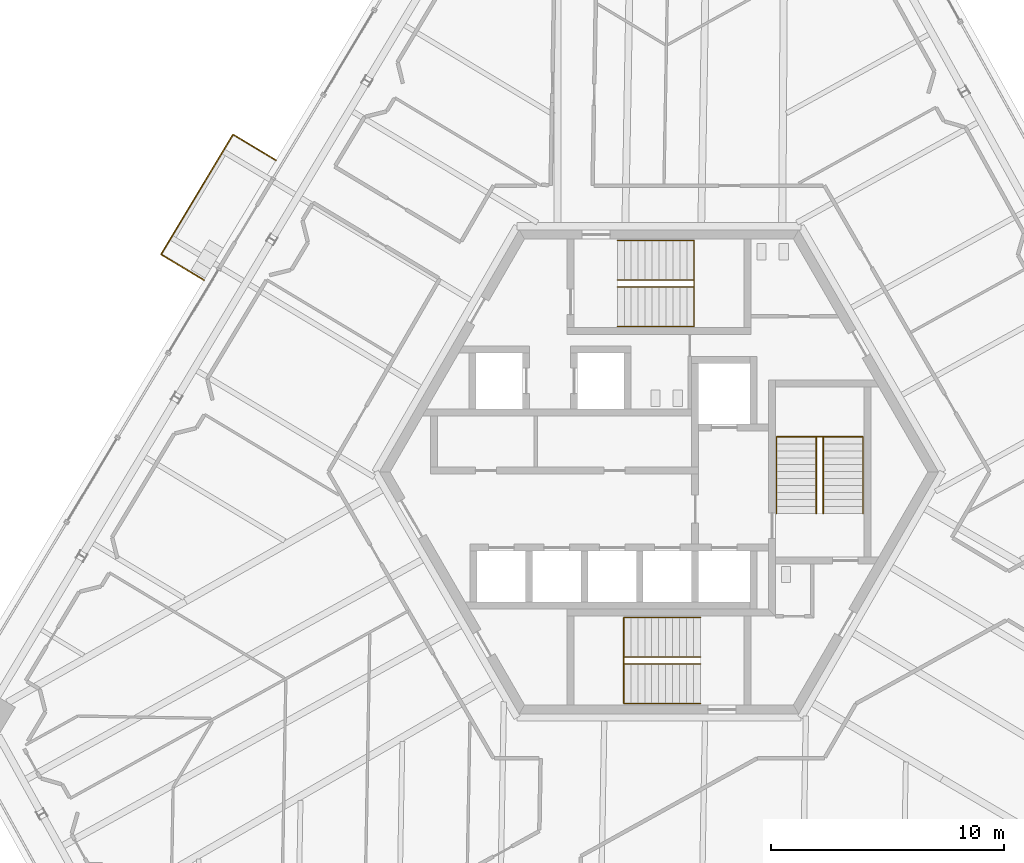
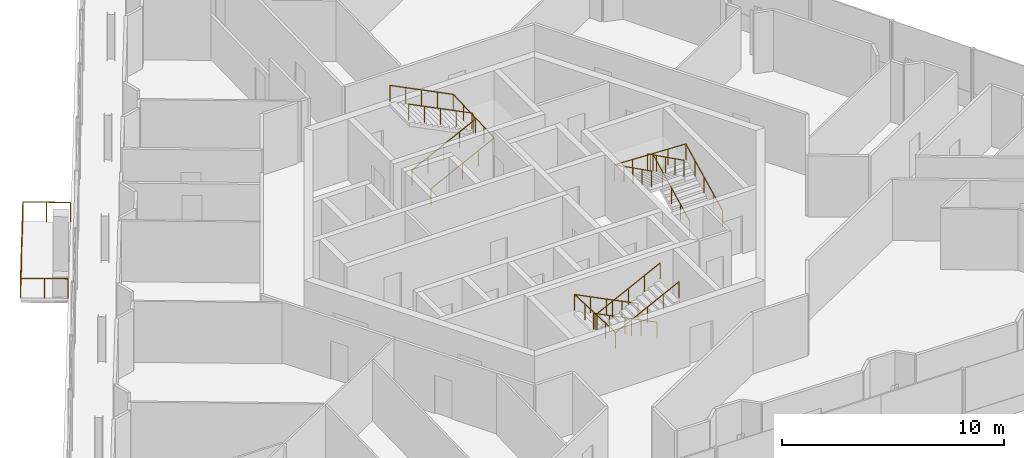
# One storey, part 21 of 24: 7 railings.
"""IFC4 building model written with IfcOpenShell, lengths in metres."""

from ifc_helpers import new_model, si_unit, direction, frame, origin, origin_2d, place, context, subcontext, project, spatial, circle, extrude, source, transform, mapped, material, type_object, element, save


model = new_model("IFC4")

# Units and contexts
model_context = context("Model", 3, precision=1e-05, world=origin(), true_north=direction((0.0, 1.0)))
body_context = subcontext(model_context, "Body", "Model", "MODEL_VIEW")
ifc_project = project(units=[si_unit("LENGTHUNIT", "METRE"), si_unit("AREAUNIT", "SQUARE_METRE"), si_unit("VOLUMEUNIT", "CUBIC_METRE"), si_unit("PLANEANGLEUNIT", "RADIAN"), si_unit("MASSUNIT", "GRAM", prefix="KILO")], contexts=[model_context])

# Site, building, storey
site_placement = place(None, origin())
site = spatial("IfcSite", under=ifc_project, at=site_placement, CompositionType="ELEMENT")
building_placement = place(site_placement, origin())
building = spatial("IfcBuilding", under=site, at=building_placement, Name="Triune Harvest Tower", CompositionType="ELEMENT")
storey_placement = place(building_placement, frame((0.0, 0.0, 212.300048828125)))
storey = spatial("IfcBuildingStorey", under=building, at=storey_placement, Name="L55", CompositionType="ELEMENT", Elevation=212.300048828125)

# Railings
ifc_material_1 = material(Name="Stainless steel AISI 316", Category="steel")
railing_type_1 = type_object("IfcRailingType", Name="Stair handrail", PredefinedType="HANDRAIL", material=ifc_material_1)
shared_shape_1 = source(origin(), body_context, "Body", "SweptSolid", [
    extrude(circle(Radius=0.02392578125, at=origin_2d()), frame((0.0, 0.0, 0.8759765625), z_axis=(0.894413956696, 0.0, 0.447240063129), x_axis=(0.0, 1.0, 0.0)), (0.0, 0.0, 1.0), 3.689697265625),
    extrude(circle(Radius=0.02392578125, at=origin_2d()), frame((3.300048828125, 0.0, 2.52587890625), z_axis=(0.0, 0.999180289278, 0.040481471304), x_axis=(-1.0, 0.0, 0.0)), (0.0, 0.0, 1.0), 3.702880859375),
    extrude(circle(Radius=0.02392578125, at=origin_2d()), frame((3.300048828125, 3.699951171875, 2.67578125), z_axis=(-0.894440424912, 0.0, 0.447187126696), x_axis=(0.0, -1.0, 0.0)), (0.0, 0.0, 1.0), 3.689453125),
    extrude(circle(Radius=0.02099609375, at=origin_2d()), origin(), (0.0, 0.0, 1.0), 0.851806640625),
    extrude(circle(Radius=0.02099609375, at=origin_2d()), frame((0.824951171875, 0.0, 0.41259765625)), (0.0, 0.0, 1.0), 0.851806640625),
    extrude(circle(Radius=0.02099609375, at=origin_2d()), frame((1.64990234375, 0.0, 0.8251953125)), (0.0, 0.0, 1.0), 0.851806640625),
    extrude(circle(Radius=0.02099609375, at=origin_2d()), frame((2.47509765625, 0.0, 1.237548828125)), (0.0, 0.0, 1.0), 0.851806640625),
    extrude(circle(Radius=0.02099609375, at=origin_2d()), frame((3.300048828125, 0.0, 1.650146484375)), (0.0, 0.0, 1.0), 0.851806640625),
    extrude(circle(Radius=0.02099609375, at=origin_2d()), frame((3.300048828125, 0.925048828125, 1.6875)), (0.0, 0.0, 1.0), 0.851806640625),
    extrude(circle(Radius=0.02099609375, at=origin_2d()), frame((3.300048828125, 1.85009765625, 1.72509765625)), (0.0, 0.0, 1.0), 0.851806640625),
    extrude(circle(Radius=0.02099609375, at=origin_2d()), frame((3.300048828125, 2.77490234375, 1.7626953125)), (0.0, 0.0, 1.0), 0.851806640625),
    extrude(circle(Radius=0.02099609375, at=origin_2d()), frame((3.300048828125, 3.699951171875, 1.800048828125)), (0.0, 0.0, 1.0), 0.851806640625),
    extrude(circle(Radius=0.02099609375, at=origin_2d()), frame((2.47509765625, 3.699951171875, 2.21240234375)), (0.0, 0.0, 1.0), 0.851806640625),
    extrude(circle(Radius=0.02099609375, at=origin_2d()), frame((1.64990234375, 3.699951171875, 2.625)), (0.0, 0.0, 1.0), 0.851806640625),
    extrude(circle(Radius=0.02099609375, at=origin_2d()), frame((0.824951171875, 3.699951171875, 3.03759765625)), (0.0, 0.0, 1.0), 0.851806640625),
    extrude(circle(Radius=0.02099609375, at=origin_2d()), frame((0.0, 3.699951171875, 3.449951171875)), (0.0, 0.0, 1.0), 0.851806640625),
])
railing_1_placement = place(storey_placement, frame((-1.7900390625, 6.239990234375, 0.14990234375)))
element("IfcRailing", 1, at=railing_1_placement, inside=storey, type_object=railing_type_1, Name="Exit stair north wall handrail", PredefinedType="HANDRAIL", context=body_context, shape_type="MappedRepresentation", body=[
    mapped(shared_shape_1, transform((0.0, 0.0, 0.0), scale=1.0)),
])
shared_shape_2 = source(origin(), body_context, "Body", "SweptSolid", [
    extrude(circle(Radius=0.02392578125, at=origin_2d()), frame((0.0, 0.0, 0.8759765625), z_axis=(0.894413956696, 0.0, 0.447240063129), x_axis=(0.0, 1.0, 0.0)), (0.0, 0.0, 1.0), 3.689697265625),
    extrude(circle(Radius=0.02392578125, at=origin_2d()), frame((3.300048828125, 0.0, 2.52587890625), z_axis=(0.0, 0.894572720946, 0.446922417137), x_axis=(-1.0, 0.0, 0.0)), (0.0, 0.0, 1.0), 0.33544921875),
    extrude(circle(Radius=0.02392578125, at=origin_2d()), frame((3.300048828125, 0.300048828125, 2.67578125), z_axis=(-0.894440424912, 0.0, 0.447187126696), x_axis=(0.0, -1.0, 0.0)), (0.0, 0.0, 1.0), 3.689453125),
    extrude(circle(Radius=0.02099609375, at=origin_2d()), origin(), (0.0, 0.0, 1.0), 0.851806640625),
    extrude(circle(Radius=0.02099609375, at=origin_2d()), frame((0.824951171875, 0.0, 0.41259765625)), (0.0, 0.0, 1.0), 0.851806640625),
    extrude(circle(Radius=0.02099609375, at=origin_2d()), frame((1.64990234375, 0.0, 0.8251953125)), (0.0, 0.0, 1.0), 0.851806640625),
    extrude(circle(Radius=0.02099609375, at=origin_2d()), frame((2.47509765625, 0.0, 1.237548828125)), (0.0, 0.0, 1.0), 0.851806640625),
    extrude(circle(Radius=0.02099609375, at=origin_2d()), frame((3.300048828125, 0.0, 1.650146484375)), (0.0, 0.0, 1.0), 0.851806640625),
    extrude(circle(Radius=0.02099609375, at=origin_2d()), frame((3.300048828125, 0.300048828125, 1.800048828125)), (0.0, 0.0, 1.0), 0.851806640625),
    extrude(circle(Radius=0.02099609375, at=origin_2d()), frame((2.47509765625, 0.300048828125, 2.21240234375)), (0.0, 0.0, 1.0), 0.851806640625),
    extrude(circle(Radius=0.02099609375, at=origin_2d()), frame((1.64990234375, 0.300048828125, 2.625)), (0.0, 0.0, 1.0), 0.851806640625),
    extrude(circle(Radius=0.02099609375, at=origin_2d()), frame((0.824951171875, 0.300048828125, 3.03759765625)), (0.0, 0.0, 1.0), 0.851806640625),
    extrude(circle(Radius=0.02099609375, at=origin_2d()), frame((0.0, 0.300048828125, 3.449951171875)), (0.0, 0.0, 1.0), 0.851806640625),
])
railing_2_placement = place(storey_placement, frame((-1.7900390625, 7.93994140625, 0.14990234375)))
element("IfcRailing", 2, at=railing_2_placement, inside=storey, type_object=railing_type_1, Name="Exit stair north centre handrail", PredefinedType="HANDRAIL", context=body_context, shape_type="MappedRepresentation", body=[
    mapped(shared_shape_2, transform((0.0, 0.0, 0.0), scale=1.0)),
])
shared_shape_3 = source(origin(), body_context, "Body", "SweptSolid", [
    extrude(circle(Radius=0.02392578125, at=origin_2d()), frame((0.0, 0.0, 0.8759765625), z_axis=(-0.894413956696, 0.0, 0.447240063129), x_axis=(0.0, -1.0, 0.0)), (0.0, 0.0, 1.0), 3.689697265625),
    extrude(circle(Radius=0.02392578125, at=origin_2d()), frame((-3.300048828125, 0.0, 2.52587890625), z_axis=(0.0, -0.999180289278, 0.040481471304), x_axis=(1.0, 0.0, 0.0)), (0.0, 0.0, 1.0), 3.702880859375),
    extrude(circle(Radius=0.02392578125, at=origin_2d()), frame((-3.300048828125, -3.699951171875, 2.67578125), z_axis=(0.894440424912, 0.0, 0.447187126696), x_axis=(0.0, 1.0, 0.0)), (0.0, 0.0, 1.0), 3.689453125),
    extrude(circle(Radius=0.02099609375, at=origin_2d()), origin(), (0.0, 0.0, 1.0), 0.851806640625),
    extrude(circle(Radius=0.02099609375, at=origin_2d()), frame((-0.824951171875, 0.0, 0.41259765625)), (0.0, 0.0, 1.0), 0.851806640625),
    extrude(circle(Radius=0.02099609375, at=origin_2d()), frame((-1.64990234375, 0.0, 0.8251953125)), (0.0, 0.0, 1.0), 0.851806640625),
    extrude(circle(Radius=0.02099609375, at=origin_2d()), frame((-2.47509765625, 0.0, 1.237548828125)), (0.0, 0.0, 1.0), 0.851806640625),
    extrude(circle(Radius=0.02099609375, at=origin_2d()), frame((-3.300048828125, 0.0, 1.650146484375)), (0.0, 0.0, 1.0), 0.851806640625),
    extrude(circle(Radius=0.02099609375, at=origin_2d()), frame((-3.300048828125, -0.925048828125, 1.6875)), (0.0, 0.0, 1.0), 0.851806640625),
    extrude(circle(Radius=0.02099609375, at=origin_2d()), frame((-3.300048828125, -1.85009765625, 1.72509765625)), (0.0, 0.0, 1.0), 0.851806640625),
    extrude(circle(Radius=0.02099609375, at=origin_2d()), frame((-3.300048828125, -2.77490234375, 1.7626953125)), (0.0, 0.0, 1.0), 0.851806640625),
    extrude(circle(Radius=0.02099609375, at=origin_2d()), frame((-3.300048828125, -3.699951171875, 1.800048828125)), (0.0, 0.0, 1.0), 0.851806640625),
    extrude(circle(Radius=0.02099609375, at=origin_2d()), frame((-2.47509765625, -3.699951171875, 2.21240234375)), (0.0, 0.0, 1.0), 0.851806640625),
    extrude(circle(Radius=0.02099609375, at=origin_2d()), frame((-1.64990234375, -3.699951171875, 2.625)), (0.0, 0.0, 1.0), 0.851806640625),
    extrude(circle(Radius=0.02099609375, at=origin_2d()), frame((-0.824951171875, -3.699951171875, 3.03759765625)), (0.0, 0.0, 1.0), 0.851806640625),
    extrude(circle(Radius=0.02099609375, at=origin_2d()), frame((0.0, -3.699951171875, 3.449951171875)), (0.0, 0.0, 1.0), 0.851806640625),
])
railing_3_placement = place(storey_placement, frame((1.7900390625, -6.239990234375, 0.14990234375)))
element("IfcRailing", 3, at=railing_3_placement, inside=storey, type_object=railing_type_1, Name="Exit stair south wall handrail", PredefinedType="HANDRAIL", context=body_context, shape_type="MappedRepresentation", body=[
    mapped(shared_shape_3, transform((0.0, 0.0, 0.0), scale=1.0)),
])
shared_shape_4 = source(origin(), body_context, "Body", "SweptSolid", [
    extrude(circle(Radius=0.02392578125, at=origin_2d()), frame((0.0, 0.0, 0.8759765625), z_axis=(-0.894413956696, 0.0, 0.447240063129), x_axis=(0.0, -1.0, 0.0)), (0.0, 0.0, 1.0), 3.689697265625),
    extrude(circle(Radius=0.02392578125, at=origin_2d()), frame((-3.300048828125, 0.0, 2.52587890625), z_axis=(0.0, -0.894572720946, 0.446922417137), x_axis=(1.0, 0.0, 0.0)), (0.0, 0.0, 1.0), 0.33544921875),
    extrude(circle(Radius=0.02392578125, at=origin_2d()), frame((-3.300048828125, -0.300048828125, 2.67578125), z_axis=(0.894440424912, 0.0, 0.447187126696), x_axis=(0.0, 1.0, 0.0)), (0.0, 0.0, 1.0), 3.689453125),
    extrude(circle(Radius=0.02099609375, at=origin_2d()), origin(), (0.0, 0.0, 1.0), 0.851806640625),
    extrude(circle(Radius=0.02099609375, at=origin_2d()), frame((-0.824951171875, 0.0, 0.41259765625)), (0.0, 0.0, 1.0), 0.851806640625),
    extrude(circle(Radius=0.02099609375, at=origin_2d()), frame((-1.64990234375, 0.0, 0.8251953125)), (0.0, 0.0, 1.0), 0.851806640625),
    extrude(circle(Radius=0.02099609375, at=origin_2d()), frame((-2.47509765625, 0.0, 1.237548828125)), (0.0, 0.0, 1.0), 0.851806640625),
    extrude(circle(Radius=0.02099609375, at=origin_2d()), frame((-3.300048828125, 0.0, 1.650146484375)), (0.0, 0.0, 1.0), 0.851806640625),
    extrude(circle(Radius=0.02099609375, at=origin_2d()), frame((-3.300048828125, -0.300048828125, 1.800048828125)), (0.0, 0.0, 1.0), 0.851806640625),
    extrude(circle(Radius=0.02099609375, at=origin_2d()), frame((-2.47509765625, -0.300048828125, 2.21240234375)), (0.0, 0.0, 1.0), 0.851806640625),
    extrude(circle(Radius=0.02099609375, at=origin_2d()), frame((-1.64990234375, -0.300048828125, 2.625)), (0.0, 0.0, 1.0), 0.851806640625),
    extrude(circle(Radius=0.02099609375, at=origin_2d()), frame((-0.824951171875, -0.300048828125, 3.03759765625)), (0.0, 0.0, 1.0), 0.851806640625),
    extrude(circle(Radius=0.02099609375, at=origin_2d()), frame((0.0, -0.300048828125, 3.449951171875)), (0.0, 0.0, 1.0), 0.851806640625),
])
railing_4_placement = place(storey_placement, frame((1.7900390625, -7.93994140625, 0.14990234375)))
element("IfcRailing", 4, at=railing_4_placement, inside=storey, type_object=railing_type_1, Name="Exit stair south centre handrail", PredefinedType="HANDRAIL", context=body_context, shape_type="MappedRepresentation", body=[
    mapped(shared_shape_4, transform((0.0, 0.0, 0.0), scale=1.0)),
])
shared_shape_5 = source(origin(), body_context, "Body", "SweptSolid", [
    extrude(circle(Radius=0.02392578125, at=origin_2d()), frame((0.0, 0.0, 0.8759765625), z_axis=(0.0, 0.894413956696, 0.447240063129), x_axis=(-1.0, 0.0, 0.0)), (0.0, 0.0, 1.0), 3.689697265625),
    extrude(circle(Radius=0.02392578125, at=origin_2d()), frame((0.0, 3.300048828125, 2.52587890625), z_axis=(-0.999180289278, 0.0, 0.040481471304), x_axis=(0.0, -1.0, 0.0)), (0.0, 0.0, 1.0), 3.702880859375),
    extrude(circle(Radius=0.02392578125, at=origin_2d()), frame((-3.699951171875, 3.300048828125, 2.67578125), z_axis=(0.0, -0.894440424912, 0.447187126696), x_axis=(1.0, 0.0, 0.0)), (0.0, 0.0, 1.0), 3.689453125),
    extrude(circle(Radius=0.02099609375, at=origin_2d()), origin(), (0.0, 0.0, 1.0), 0.851806640625),
    extrude(circle(Radius=0.02099609375, at=origin_2d()), frame((0.0, 0.824951171875, 0.41259765625)), (0.0, 0.0, 1.0), 0.851806640625),
    extrude(circle(Radius=0.02099609375, at=origin_2d()), frame((0.0, 1.64990234375, 0.8251953125)), (0.0, 0.0, 1.0), 0.851806640625),
    extrude(circle(Radius=0.02099609375, at=origin_2d()), frame((0.0, 2.47509765625, 1.237548828125)), (0.0, 0.0, 1.0), 0.851806640625),
    extrude(circle(Radius=0.02099609375, at=origin_2d()), frame((0.0, 3.300048828125, 1.650146484375)), (0.0, 0.0, 1.0), 0.851806640625),
    extrude(circle(Radius=0.02099609375, at=origin_2d()), frame((-0.925048828125, 3.300048828125, 1.6875)), (0.0, 0.0, 1.0), 0.851806640625),
    extrude(circle(Radius=0.02099609375, at=origin_2d()), frame((-1.85009765625, 3.300048828125, 1.72509765625)), (0.0, 0.0, 1.0), 0.851806640625),
    extrude(circle(Radius=0.02099609375, at=origin_2d()), frame((-2.77490234375, 3.300048828125, 1.7626953125)), (0.0, 0.0, 1.0), 0.851806640625),
    extrude(circle(Radius=0.02099609375, at=origin_2d()), frame((-3.699951171875, 3.300048828125, 1.800048828125)), (0.0, 0.0, 1.0), 0.851806640625),
    extrude(circle(Radius=0.02099609375, at=origin_2d()), frame((-3.699951171875, 2.47509765625, 2.21240234375)), (0.0, 0.0, 1.0), 0.851806640625),
    extrude(circle(Radius=0.02099609375, at=origin_2d()), frame((-3.699951171875, 1.64990234375, 2.625)), (0.0, 0.0, 1.0), 0.851806640625),
    extrude(circle(Radius=0.02099609375, at=origin_2d()), frame((-3.699951171875, 0.824951171875, 3.03759765625)), (0.0, 0.0, 1.0), 0.851806640625),
    extrude(circle(Radius=0.02099609375, at=origin_2d()), frame((-3.699951171875, 0.0, 3.449951171875)), (0.0, 0.0, 1.0), 0.851806640625),
])
railing_5_placement = place(storey_placement, frame((8.75, -1.7900390625, 0.14990234375)))
element("IfcRailing", 5, at=railing_5_placement, inside=storey, type_object=railing_type_1, Name="Exit stair east wall handrail", PredefinedType="HANDRAIL", context=body_context, shape_type="MappedRepresentation", body=[
    mapped(shared_shape_5, transform((0.0, 0.0, 0.0), scale=1.0)),
])
shared_shape_6 = source(origin(), body_context, "Body", "SweptSolid", [
    extrude(circle(Radius=0.02392578125, at=origin_2d()), frame((0.0, 0.0, 0.8759765625), z_axis=(0.0, 0.894413956696, 0.447240063129), x_axis=(-1.0, 0.0, 0.0)), (0.0, 0.0, 1.0), 3.689697265625),
    extrude(circle(Radius=0.02392578125, at=origin_2d()), frame((0.0, 3.300048828125, 2.52587890625), z_axis=(-0.894572720946, 0.0, 0.446922417137), x_axis=(0.0, -1.0, 0.0)), (0.0, 0.0, 1.0), 0.33544921875),
    extrude(circle(Radius=0.02392578125, at=origin_2d()), frame((-0.300048828125, 3.300048828125, 2.67578125), z_axis=(0.0, -0.894440424912, 0.447187126696), x_axis=(1.0, 0.0, 0.0)), (0.0, 0.0, 1.0), 3.689453125),
    extrude(circle(Radius=0.02099609375, at=origin_2d()), origin(), (0.0, 0.0, 1.0), 0.851806640625),
    extrude(circle(Radius=0.02099609375, at=origin_2d()), frame((0.0, 0.824951171875, 0.41259765625)), (0.0, 0.0, 1.0), 0.851806640625),
    extrude(circle(Radius=0.02099609375, at=origin_2d()), frame((0.0, 1.64990234375, 0.8251953125)), (0.0, 0.0, 1.0), 0.851806640625),
    extrude(circle(Radius=0.02099609375, at=origin_2d()), frame((0.0, 2.47509765625, 1.237548828125)), (0.0, 0.0, 1.0), 0.851806640625),
    extrude(circle(Radius=0.02099609375, at=origin_2d()), frame((0.0, 3.300048828125, 1.650146484375)), (0.0, 0.0, 1.0), 0.851806640625),
    extrude(circle(Radius=0.02099609375, at=origin_2d()), frame((-0.300048828125, 3.300048828125, 1.800048828125)), (0.0, 0.0, 1.0), 0.851806640625),
    extrude(circle(Radius=0.02099609375, at=origin_2d()), frame((-0.300048828125, 2.47509765625, 2.21240234375)), (0.0, 0.0, 1.0), 0.851806640625),
    extrude(circle(Radius=0.02099609375, at=origin_2d()), frame((-0.300048828125, 1.64990234375, 2.625)), (0.0, 0.0, 1.0), 0.851806640625),
    extrude(circle(Radius=0.02099609375, at=origin_2d()), frame((-0.300048828125, 0.824951171875, 3.03759765625)), (0.0, 0.0, 1.0), 0.851806640625),
    extrude(circle(Radius=0.02099609375, at=origin_2d()), frame((-0.300048828125, 0.0, 3.449951171875)), (0.0, 0.0, 1.0), 0.851806640625),
])
railing_6_placement = place(storey_placement, frame((7.050048828125, -1.7900390625, 0.14990234375)))
element("IfcRailing", 6, at=railing_6_placement, inside=storey, type_object=railing_type_1, Name="Exit stair east centre handrail", PredefinedType="HANDRAIL", context=body_context, shape_type="MappedRepresentation", body=[
    mapped(shared_shape_6, transform((0.0, 0.0, 0.0), scale=1.0)),
])
ifc_material_2 = material(Name="Glass", Category="glass")
railing_type_2 = type_object("IfcRailingType", Name="GD-2 balcony guard 1100", PredefinedType="GUARDRAIL", material=ifc_material_2)
shared_shape_7 = source(origin(), body_context, "Body", "SweptSolid", [
    extrude(circle(Radius=0.02392578125, at=origin_2d()), frame((0.0, 0.0, 1.076171875), z_axis=(-0.857171813398, 0.515030564448, 0.0), x_axis=(-0.515030564448, -0.857171813398, 0.0)), (0.0, 0.0, 1.0), 2.14794921875),
    extrude(circle(Radius=0.02392578125, at=origin_2d()), frame((-1.841064453125, 1.106201171875, 1.076171875), z_axis=(-0.515046152758, -0.85716244699, 0.0), x_axis=(0.85716244699, -0.515046152758, 0.0)), (0.0, 0.0, 1.0), 6.0),
    extrude(circle(Radius=0.02392578125, at=origin_2d()), frame((-4.931396484375, -4.036865234375, 1.076171875), z_axis=(0.857201960216, -0.514980387396, 0.0), x_axis=(0.514980387396, 0.857201960216, 0.0)), (0.0, 0.0, 1.0), 2.14794921875),
    extrude(circle(Radius=0.02099609375, at=origin_2d()), origin(), (0.0, 0.0, 1.0), 1.052001953125),
    extrude(circle(Radius=0.02099609375, at=origin_2d()), frame((-0.92041015625, 0.55322265625, 0.0)), (0.0, 0.0, 1.0), 1.052001953125),
    extrude(circle(Radius=0.02099609375, at=origin_2d()), frame((-1.841064453125, 1.106201171875, 0.0)), (0.0, 0.0, 1.0), 1.052001953125),
    extrude(circle(Radius=0.02099609375, at=origin_2d()), frame((-2.356201171875, 0.2490234375, 0.0)), (0.0, 0.0, 1.0), 1.052001953125),
    extrude(circle(Radius=0.02099609375, at=origin_2d()), frame((-2.87109375, -0.608154296875, 0.0)), (0.0, 0.0, 1.0), 1.052001953125),
    extrude(circle(Radius=0.02099609375, at=origin_2d()), frame((-3.38623046875, -1.46533203125, 0.0)), (0.0, 0.0, 1.0), 1.052001953125),
    extrude(circle(Radius=0.02099609375, at=origin_2d()), frame((-3.9013671875, -2.322509765625, 0.0)), (0.0, 0.0, 1.0), 1.052001953125),
    extrude(circle(Radius=0.02099609375, at=origin_2d()), frame((-4.416259765625, -3.1796875, 0.0)), (0.0, 0.0, 1.0), 1.052001953125),
    extrude(circle(Radius=0.02099609375, at=origin_2d()), frame((-4.931396484375, -4.036865234375, 0.0)), (0.0, 0.0, 1.0), 1.052001953125),
    extrude(circle(Radius=0.02099609375, at=origin_2d()), frame((-4.0107421875, -4.58984375, 0.0)), (0.0, 0.0, 1.0), 1.052001953125),
    extrude(circle(Radius=0.02099609375, at=origin_2d()), frame((-3.090087890625, -5.14306640625, 0.0)), (0.0, 0.0, 1.0), 1.052001953125),
])
railing_7_placement = place(storey_placement, frame((-16.435791015625, 13.37548828125, 0.0)))
element("IfcRailing", 7, at=railing_7_placement, inside=storey, type_object=railing_type_2, Name="Balcony guard B5-F3 L55.6", PredefinedType="GUARDRAIL", context=body_context, shape_type="MappedRepresentation", body=[
    mapped(shared_shape_7, transform((0.0, 0.0, 0.0), scale=1.0)),
])

save(model, "model.ifc")
